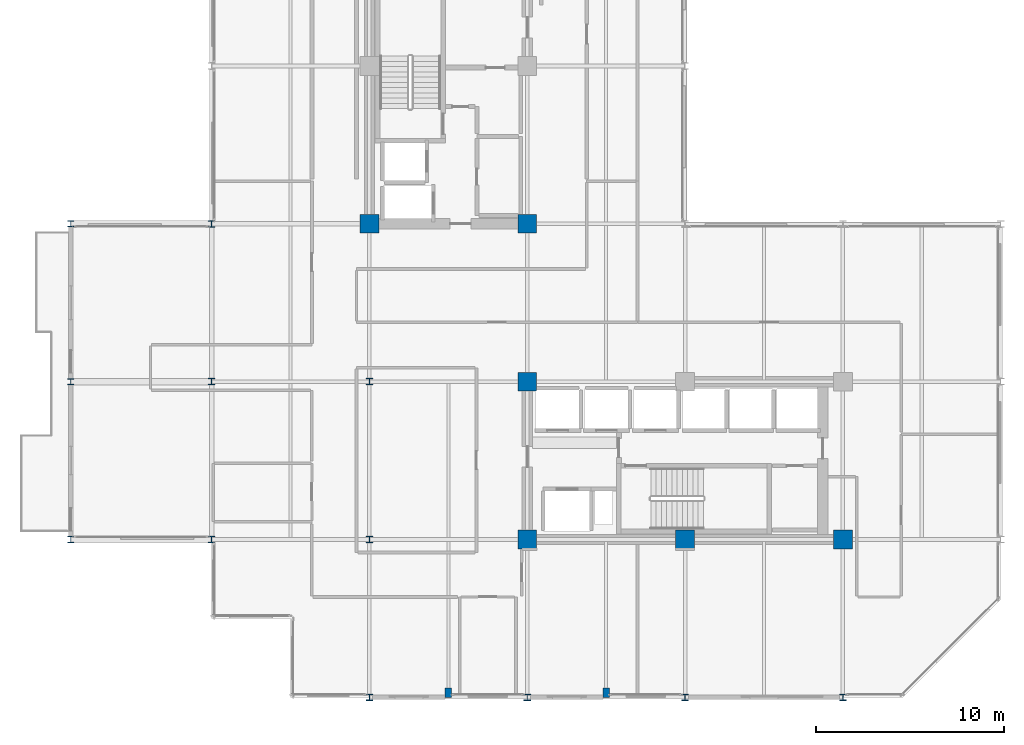
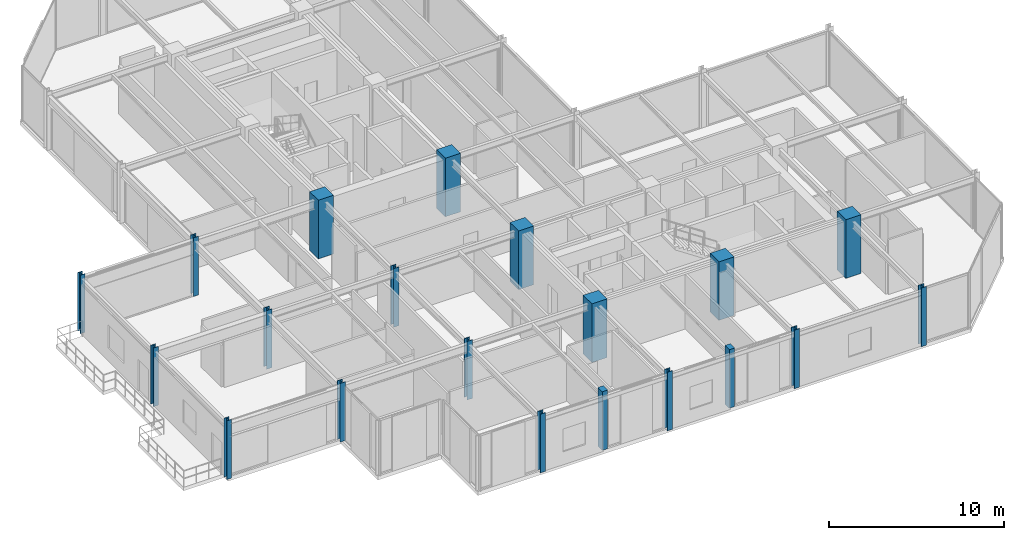
# One storey, part 1 of 29: 20 columns.
"""IFC4 building model written with IfcOpenShell, lengths in metres."""

from ifc_helpers import new_model, si_unit, direction, frame, origin, origin_2d, place, context, subcontext, project, spatial, rectangle, i_section, extrude, material, material_profile, profile_set, type_object, element, save


model = new_model("IFC4")

# Units and contexts
model_context = context("Model", 3, precision=1e-05, world=origin(), true_north=direction((0.0, 1.0)))
body_context = subcontext(model_context, "Body", "Model", "MODEL_VIEW")
ifc_project = project(units=[si_unit("LENGTHUNIT", "METRE"), si_unit("AREAUNIT", "SQUARE_METRE"), si_unit("VOLUMEUNIT", "CUBIC_METRE"), si_unit("PLANEANGLEUNIT", "RADIAN"), si_unit("MASSUNIT", "GRAM", prefix="KILO")], contexts=[model_context])

# Site, building, storey
site_placement = place(None, origin())
site = spatial("IfcSite", under=ifc_project, at=site_placement, CompositionType="ELEMENT")
building_placement = place(site_placement, origin())
building = spatial("IfcBuilding", under=site, at=building_placement, Name="Nerrivon Quay Data Exchange", CompositionType="ELEMENT")
storey_placement = place(building_placement, frame((0.0, 0.0, 212.39990234375)))
storey = spatial("IfcBuildingStorey", under=building, at=storey_placement, Name="L50", CompositionType="ELEMENT", Elevation=212.39990234375)

# Columns
ifc_material_1 = material(Name="Concrete S65 (65 MPa)", Category="concrete")
ifc_material_profile_1 = material_profile(ifc_material_1, rectangle(XDim=1.0, YDim=1.0, at=origin_2d()), Name="RC-COL-1000x1000")
ifc_profile_set_1 = profile_set([ifc_material_profile_1], Name="Concrete S65 (65 MPa)")
column_type_1 = type_object("IfcColumnType", Name="COL-C4-1000", PredefinedType="COLUMN", material=ifc_profile_set_1)
for number, where, z_axis, x_axis, name in (
    (1, (8.39990234375, 25.199951171875, 0.0), (0.0, 0.0, 1.0), (1.0, 0.0, 0.0), "L50 Column (8.4,25.2)"),
    (2, (16.800048828125, 8.39990234375, 0.0), (0.0, 0.0, 1.0), (1.0, 0.0, 0.0), "L50 Column (16.8,8.4)"),
    (3, (16.800048828125, 16.800048828125, 0.0), (0.0, 0.0, 1.0), (1.0, 0.0, 0.0), "L50 Column (16.8,16.8)"),
    (4, (16.800048828125, 25.199951171875, 0.0), (0.0, 0.0, 1.0), (1.0, 0.0, 0.0), "L50 Column (16.8,25.2)"),
    (5, (25.199951171875, 8.39990234375, 0.0), (0.0, 0.0, 1.0), (1.0, 0.0, 0.0), "L50 Column (25.2,8.4)"),
    (6, (33.60009765625, 8.39990234375, 0.0), (0.0, 0.0, 1.0), (1.0, 0.0, 0.0), "L50 Column (33.6,8.4)"),
):
    element("IfcColumn", number, at=place(storey_placement, frame(where, z_axis=z_axis, x_axis=x_axis)), inside=storey, type_object=column_type_1, Name=name, PredefinedType="COLUMN", context=body_context, shape_type="SweptSolid", body=[
        extrude(rectangle(XDim=1.0, YDim=1.0, at=origin_2d()), origin(), (0.0, 0.0, 1.0), 4.10009765625),
    ])
ifc_material_2 = material(Name="Steel Grade 350", Category="steel")
ifc_material_profile_2 = material_profile(ifc_material_2, i_section(OverallWidth=0.35009765625, OverallDepth=0.35009765625, WebThickness=0.02001953125, FlangeThickness=0.031982421875, at=origin_2d()), Name="350WC230")
ifc_profile_set_2 = profile_set([ifc_material_profile_2], Name="Steel Grade 350")
column_type_2 = type_object("IfcColumnType", Name="COL-SC3-350WC", PredefinedType="COLUMN", material=ifc_profile_set_2)
for number, where, z_axis, x_axis, name in (
    (7, (0.0, 8.39990234375, 0.0), (0.0, 0.0, 1.0), (1.0, 0.0, 0.0), "L50 Column (0.0,8.4)"),
    (8, (0.0, 16.800048828125, 0.0), (0.0, 0.0, 1.0), (1.0, 0.0, 0.0), "L50 Column (0.0,16.8)"),
    (9, (0.0, 25.199951171875, 0.0), (0.0, 0.0, 1.0), (1.0, 0.0, 0.0), "L50 Column (0.0,25.2)"),
    (10, (8.39990234375, 0.0, 0.0), (0.0, 0.0, 1.0), (1.0, 0.0, 0.0), "L50 Column (8.4,0.0)"),
    (11, (8.39990234375, 8.39990234375, 0.0), (0.0, 0.0, 1.0), (1.0, 0.0, 0.0), "L50 Column (8.4,8.4)"),
    (12, (8.39990234375, 16.800048828125, 0.0), (0.0, 0.0, 1.0), (1.0, 0.0, 0.0), "L50 Column (8.4,16.8)"),
    (13, (16.800048828125, 0.0, 0.0), (0.0, 0.0, 1.0), (1.0, 0.0, 0.0), "L50 Column (16.8,0.0)"),
    (14, (25.199951171875, 0.0, 0.0), (0.0, 0.0, 1.0), (1.0, 0.0, 0.0), "L50 Column (25.2,0.0)"),
    (15, (33.60009765625, 0.0, 0.0), (0.0, 0.0, 1.0), (1.0, 0.0, 0.0), "L50 Column (33.6,0.0)"),
):
    element("IfcColumn", number, at=place(storey_placement, frame(where, z_axis=z_axis, x_axis=x_axis)), inside=storey, type_object=column_type_2, Name=name, PredefinedType="COLUMN", context=body_context, shape_type="SweptSolid", body=[
        extrude(i_section(OverallWidth=0.35009765625, OverallDepth=0.35009765625, WebThickness=0.02001953125, FlangeThickness=0.031982421875, at=origin_2d()), origin(), (0.0, 0.0, 1.0), 4.10009765625),
    ])
ifc_material_profile_3 = material_profile(ifc_material_2, i_section(OverallWidth=0.31103515625, OverallDepth=0.326904296875, WebThickness=0.015625, FlangeThickness=0.02490234375, FilletRadius=0.0166015625, at=origin_2d()), Name="310UC158")
ifc_profile_set_3 = profile_set([ifc_material_profile_3], Name="Steel Grade 350")
column_type_3 = type_object("IfcColumnType", Name="COL-SC4-310UC158", PredefinedType="COLUMN", material=ifc_profile_set_3)
for number, where, z_axis, x_axis, name in (
    (16, (-7.5, 8.39990234375, 0.0), (0.0, 0.0, 1.0), (1.0, 0.0, 0.0), "L50 West Hooked Post (-7.5,8.4)"),
    (17, (-7.5, 16.800048828125, 0.0), (0.0, 0.0, 1.0), (1.0, 0.0, 0.0), "L50 West Hooked Post (-7.5,16.8)"),
    (18, (-7.5, 25.199951171875, 0.0), (0.0, 0.0, 1.0), (1.0, 0.0, 0.0), "L50 West Hooked Post (-7.5,25.2)"),
):
    element("IfcColumn", number, at=place(storey_placement, frame(where, z_axis=z_axis, x_axis=x_axis)), inside=storey, type_object=column_type_3, Name=name, PredefinedType="COLUMN", context=body_context, shape_type="SweptSolid", body=[
        extrude(i_section(OverallWidth=0.31103515625, OverallDepth=0.326904296875, WebThickness=0.015625, FlangeThickness=0.02490234375, FilletRadius=0.0166015625, at=origin_2d()), origin(), (0.0, 0.0, 1.0), 4.10009765625),
    ])
ifc_material_3 = material(Name="Concrete N50 (50 MPa)", Category="concrete")
ifc_material_profile_4 = material_profile(ifc_material_3, rectangle(XDim=0.35009765625, YDim=0.5, at=origin_2d()), Name="RC-PIL-500x350")
ifc_profile_set_4 = profile_set([ifc_material_profile_4], Name="Concrete N50 (50 MPa)")
column_type_4 = type_object("IfcColumnType", Name="PIL-P2-500x350", PredefinedType="PILASTER", material=ifc_profile_set_4)
for number, where, z_axis, x_axis, name in (
    (19, (12.60009765625, 0.25, 0.0), (0.0, 0.0, 1.0), (1.0, 0.0, 0.0), "L50 Facade Pilaster (12.6)"),
    (20, (21.0, 0.25, 0.0), (0.0, 0.0, 1.0), (1.0, 0.0, 0.0), "L50 Facade Pilaster (21.0)"),
):
    element("IfcColumn", number, at=place(storey_placement, frame(where, z_axis=z_axis, x_axis=x_axis)), inside=storey, type_object=column_type_4, Name=name, PredefinedType="PILASTER", context=body_context, shape_type="SweptSolid", body=[
        extrude(rectangle(XDim=0.35009765625, YDim=0.5, at=origin_2d()), origin(), (0.0, 0.0, 1.0), 4.10009765625),
    ])

save(model, "model.ifc")
